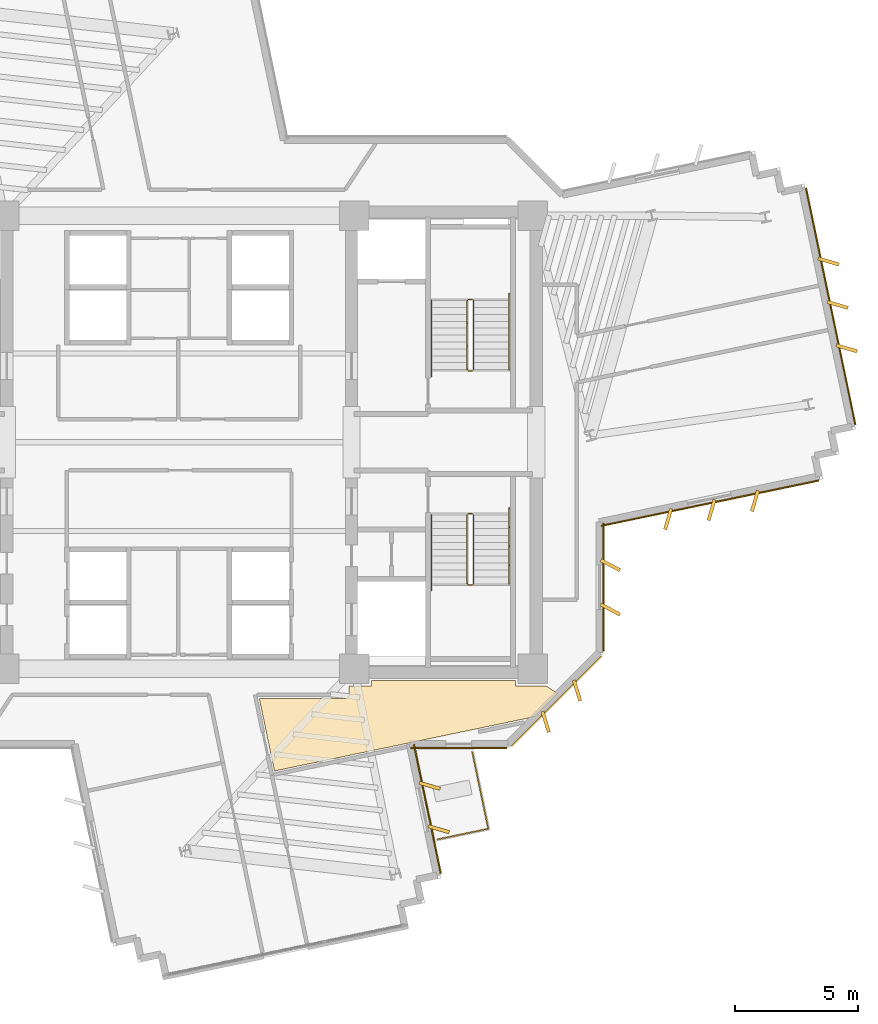
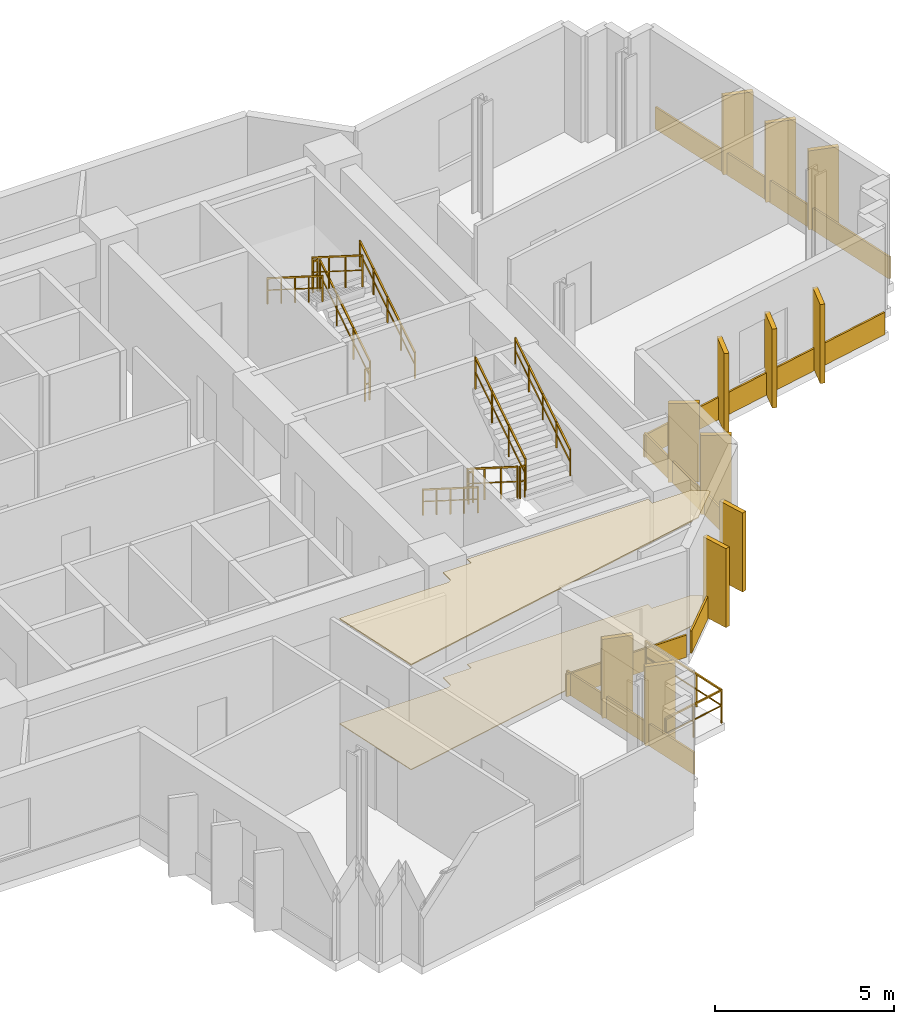
# One storey, part 13 of 14: 20 coverings, 14 railings.
"""IFC4 building model written with IfcOpenShell, lengths in metres."""

from ifc_helpers import new_model, si_unit, direction, frame, origin, origin_2d, place, context, subcontext, project, spatial, polyline, rectangle, outline, extrude, source, transform, mapped, material, layer, layer_set, type_object, element, save


model = new_model("IFC4")

# Units and contexts
model_context = context("Model", 3, precision=1e-05, world=origin(), true_north=direction((0.0, 1.0)))
body_context = subcontext(model_context, "Body", "Model", "MODEL_VIEW")
ifc_project = project(units=[si_unit("LENGTHUNIT", "METRE"), si_unit("AREAUNIT", "SQUARE_METRE"), si_unit("VOLUMEUNIT", "CUBIC_METRE"), si_unit("PLANEANGLEUNIT", "RADIAN"), si_unit("MASSUNIT", "GRAM", prefix="KILO")], contexts=[model_context])

# Site, building, storey
site_placement = place(None, origin())
site = spatial("IfcSite", under=ifc_project, at=site_placement, CompositionType="ELEMENT")
building_placement = place(site_placement, origin())
building = spatial("IfcBuilding", under=site, at=building_placement, Name="Zahravan Cultural Tower", CompositionType="ELEMENT")
storey_placement = place(building_placement, frame((0.0, 0.0, 166.800048828125)))
storey = spatial("IfcBuildingStorey", under=building, at=storey_placement, Name="L38", CompositionType="ELEMENT", Elevation=166.800048828125)

# Coverings
ifc_material_1 = material(Name="Acoustic mineral fibreboard")
ifc_layer_1 = layer(ifc_material_1, 0.0400390625)
ifc_layer_set_1 = layer_set([ifc_layer_1], Name="Acoustic mineral fibreboard")
covering_type_1 = type_object("IfcCoveringType", Name="COV-CEIL-AC20", PredefinedType="CEILING", material=ifc_layer_set_1)
covering_1_placement = place(storey_placement, frame((0.0, 0.0, 3.579833984375)))
element("IfcCovering", 1, at=covering_1_placement, inside=storey, type_object=covering_type_1, Name="L38 Acoustic Suspended Ceiling", PredefinedType="CEILING", context=body_context, shape_type="SweptSolid", body=[
    extrude(outline(polyline([(50.423583984375, 15.849609375), (51.3681640625, 16.79443359375), (50.90869140625, 17.10009765625), (49.64990234375, 17.10009765625), (49.64990234375, 17.320068359375), (43.800048828125, 17.320068359375), (43.800048828125, 17.10009765625), (42.889892578125, 17.10009765625), (42.8896484375, 16.716064453125), (42.853515625, 16.639404296875), (42.78173828125, 16.601318359375), (39.251708984375, 16.60009765625), (39.8671875, 13.648193359375), (50.423583984375, 15.849609375)])), origin(), (0.0, 0.0, 1.0), 0.0400390625),
])
ifc_material_2 = material(Name="Terrazzo flooring")
ifc_layer_2 = layer(ifc_material_2, 0.02490234375)
ifc_layer_set_2 = layer_set([ifc_layer_2], Name="Terrazzo flooring")
covering_type_2 = type_object("IfcCoveringType", Name="COV-FLR-TZ25", PredefinedType="FLOORING", material=ifc_layer_set_2)
covering_2_placement = place(storey_placement, origin())
element("IfcCovering", 2, at=covering_2_placement, inside=storey, type_object=covering_type_2, Name="L38 Polished Terrazzo Flooring", PredefinedType="FLOORING", context=body_context, shape_type="SweptSolid", body=[
    extrude(outline(polyline([(50.423583984375, 15.849609375), (51.3681640625, 16.79443359375), (50.90869140625, 17.10009765625), (49.64990234375, 17.10009765625), (49.64990234375, 17.320068359375), (43.800048828125, 17.320068359375), (43.800048828125, 17.10009765625), (42.889892578125, 17.10009765625), (42.8896484375, 16.716064453125), (42.853515625, 16.639404296875), (42.78173828125, 16.601318359375), (39.251708984375, 16.60009765625), (39.8671875, 13.648193359375), (50.423583984375, 15.849609375)])), origin(), (0.0, 0.0, 1.0), 0.02490234375),
])

# Railings
ifc_material_3 = material(Name="Steel ASTM A572 Grade 50", Category="steel")
railing_type_1 = type_object("IfcRailingType", Name="RL-BAL-1150", PredefinedType="BALUSTRADE", material=ifc_material_3)
railing_1_placement = place(storey_placement, frame((48.54931640625, 11.30126953125, 0.0)))
element("IfcRailing", 3, at=railing_1_placement, inside=storey, type_object=railing_type_1, Name="L38 Edge Balustrade GRD-TR-L38-SE-01", PredefinedType="BALUSTRADE", context=body_context, shape_type="SweptSolid", body=[
    extrude(rectangle(XDim=0.05, YDim=0.05, at=origin_2d()), frame((0.0, 0.0, 1.125), z_axis=(-0.978965909824, -0.204023889294, 0.0), x_axis=(0.204023889294, -0.978965909824, 0.0)), (0.0, 0.0, 1.0), 2.10009765625),
    extrude(rectangle(XDim=0.032, YDim=0.032, at=origin_2d()), frame((0.0, 0.0, 0.597900390625), z_axis=(-0.978965909824, -0.204023889294, 0.0), x_axis=(0.204023889294, -0.978965909824, 0.0)), (0.0, 0.0, 1.0), 2.10009765625),
    extrude(rectangle(XDim=0.04, YDim=0.04, at=origin_2d()), origin(), (0.0, 0.0, 1.0), 1.14990234375),
    extrude(rectangle(XDim=0.04, YDim=0.04, at=origin_2d()), frame((-1.02783203125, -0.21435546875, 0.0)), (0.0, 0.0, 1.0), 1.14990234375),
    extrude(rectangle(XDim=0.04, YDim=0.04, at=origin_2d()), frame((-2.055908203125, -0.428466796875, 0.0)), (0.0, 0.0, 1.0), 1.14990234375),
])
railing_2_placement = place(storey_placement, frame((47.89892578125, 14.419921875, 0.0)))
element("IfcRailing", 4, at=railing_2_placement, inside=storey, type_object=railing_type_1, Name="L38 Edge Balustrade GRD-TR-L38-SE-02", PredefinedType="BALUSTRADE", context=body_context, shape_type="SweptSolid", body=[
    extrude(rectangle(XDim=0.05, YDim=0.05, at=origin_2d()), frame((0.0, 0.0, 1.125), z_axis=(0.204156230122, -0.978938319662, 0.0), x_axis=(0.978938319662, 0.204156230122, 0.0)), (0.0, 0.0, 1.0), 3.185791015625),
    extrude(rectangle(XDim=0.032, YDim=0.032, at=origin_2d()), frame((0.0, 0.0, 0.597900390625), z_axis=(0.204156230122, -0.978938319662, 0.0), x_axis=(0.978938319662, 0.204156230122, 0.0)), (0.0, 0.0, 1.0), 3.185791015625),
    extrude(rectangle(XDim=0.04, YDim=0.04, at=origin_2d()), origin(), (0.0, 0.0, 1.0), 1.14990234375),
    extrude(rectangle(XDim=0.04, YDim=0.04, at=origin_2d()), frame((0.216796875, -1.03955078125, 0.0)), (0.0, 0.0, 1.0), 1.14990234375),
    extrude(rectangle(XDim=0.04, YDim=0.04, at=origin_2d()), frame((0.43359375, -2.0791015625, 0.0)), (0.0, 0.0, 1.0), 1.14990234375),
    extrude(rectangle(XDim=0.04, YDim=0.04, at=origin_2d()), frame((0.650390625, -3.11865234375, 0.0)), (0.0, 0.0, 1.0), 1.14990234375),
])
railing_type_2 = type_object("IfcRailingType", Name="RL-STAIR-GRD1150", PredefinedType="BALUSTRADE", material=ifc_material_3)
railing_3_placement = place(storey_placement, frame((47.949951171875, 29.949951171875, 0.17724609375)))
element("IfcRailing", 5, at=railing_3_placement, inside=storey, type_object=railing_type_2, Name="L38 ST-E1 stair guard 1", PredefinedType="BALUSTRADE", context=body_context, shape_type="SweptSolid", body=[
    extrude(rectangle(XDim=0.05, YDim=0.05, at=origin_2d()), frame((0.0, 0.0, 1.0751953125), z_axis=(0.0, 0.844908973607, 0.534910110503), x_axis=(-1.0, 0.0, 0.0)), (0.0, 0.0, 1.0), 3.31396484375),
    extrude(rectangle(XDim=0.032, YDim=0.032, at=origin_2d()), frame((0.0, 0.0, 0.572021484375), z_axis=(0.0, 0.844908973607, 0.534910110503), x_axis=(-1.0, 0.0, 0.0)), (0.0, 0.0, 1.0), 3.31396484375),
    extrude(rectangle(XDim=0.04, YDim=0.04, at=origin_2d()), origin(), (0.0, 0.0, 1.0), 1.10009765625),
    extrude(rectangle(XDim=0.04, YDim=0.04, at=origin_2d()), frame((0.0, 0.933349609375, 0.5908203125)), (0.0, 0.0, 1.0), 1.10009765625),
    extrude(rectangle(XDim=0.04, YDim=0.04, at=origin_2d()), frame((0.0, 1.86669921875, 1.181884765625)), (0.0, 0.0, 1.0), 1.10009765625),
    extrude(rectangle(XDim=0.04, YDim=0.04, at=origin_2d()), frame((0.0, 2.800048828125, 1.772705078125)), (0.0, 0.0, 1.0), 1.10009765625),
])
railing_4_placement = place(storey_placement, frame((47.89990234375, 32.800048828125, 1.949951171875)))
element("IfcRailing", 6, at=railing_4_placement, inside=storey, type_object=railing_type_2, Name="L38 ST-E1 stair guard 2", PredefinedType="BALUSTRADE", context=body_context, shape_type="SweptSolid", body=[
    extrude(rectangle(XDim=0.05, YDim=0.05, at=origin_2d()), frame((0.0, 0.0, 1.0751953125), z_axis=(-1.0, 0.0, 0.0), x_axis=(0.0, -1.0, 0.0)), (0.0, 0.0, 1.0), 0.14990234375),
    extrude(rectangle(XDim=0.032, YDim=0.032, at=origin_2d()), frame((0.0, 0.0, 0.572021484375), z_axis=(-1.0, 0.0, 0.0), x_axis=(0.0, -1.0, 0.0)), (0.0, 0.0, 1.0), 0.14990234375),
    extrude(rectangle(XDim=0.04, YDim=0.04, at=origin_2d()), origin(), (0.0, 0.0, 1.0), 1.10009765625),
    extrude(rectangle(XDim=0.04, YDim=0.04, at=origin_2d()), frame((-0.14990234375, 0.0, 0.0)), (0.0, 0.0, 1.0), 1.10009765625),
])
railing_5_placement = place(storey_placement, frame((47.699951171875, 32.75, 2.127197265625)))
element("IfcRailing", 7, at=railing_5_placement, inside=storey, type_object=railing_type_2, Name="L38 ST-E1 stair guard 3", PredefinedType="BALUSTRADE", context=body_context, shape_type="SweptSolid", body=[
    extrude(rectangle(XDim=0.05, YDim=0.05, at=origin_2d()), frame((0.0, 0.0, 1.0751953125), z_axis=(0.0, -0.844908973607, 0.534910110503), x_axis=(1.0, 0.0, 0.0)), (0.0, 0.0, 1.0), 3.31396484375),
    extrude(rectangle(XDim=0.032, YDim=0.032, at=origin_2d()), frame((0.0, 0.0, 0.572021484375), z_axis=(0.0, -0.844908973607, 0.534910110503), x_axis=(1.0, 0.0, 0.0)), (0.0, 0.0, 1.0), 3.31396484375),
    extrude(rectangle(XDim=0.04, YDim=0.04, at=origin_2d()), origin(), (0.0, 0.0, 1.0), 1.10009765625),
    extrude(rectangle(XDim=0.04, YDim=0.04, at=origin_2d()), frame((0.0, -0.933349609375, 0.5908203125)), (0.0, 0.0, 1.0), 1.10009765625),
    extrude(rectangle(XDim=0.04, YDim=0.04, at=origin_2d()), frame((0.0, -1.86669921875, 1.181884765625)), (0.0, 0.0, 1.0), 1.10009765625),
    extrude(rectangle(XDim=0.04, YDim=0.04, at=origin_2d()), frame((0.0, -2.800048828125, 1.772705078125)), (0.0, 0.0, 1.0), 1.10009765625),
])
railing_6_placement = place(storey_placement, frame((47.89990234375, 29.89990234375, 0.0)))
element("IfcRailing", 8, at=railing_6_placement, inside=storey, type_object=railing_type_2, Name="L38 ST-E1 stair guard 4", PredefinedType="BALUSTRADE", context=body_context, shape_type="SweptSolid", body=[
    extrude(rectangle(XDim=0.05, YDim=0.05, at=origin_2d()), frame((0.0, 0.0, 1.0751953125), z_axis=(-1.0, 0.0, 0.0), x_axis=(0.0, -1.0, 0.0)), (0.0, 0.0, 1.0), 0.14990234375),
    extrude(rectangle(XDim=0.032, YDim=0.032, at=origin_2d()), frame((0.0, 0.0, 0.572021484375), z_axis=(-1.0, 0.0, 0.0), x_axis=(0.0, -1.0, 0.0)), (0.0, 0.0, 1.0), 0.14990234375),
    extrude(rectangle(XDim=0.04, YDim=0.04, at=origin_2d()), origin(), (0.0, 0.0, 1.0), 1.10009765625),
    extrude(rectangle(XDim=0.04, YDim=0.04, at=origin_2d()), frame((-0.14990234375, 0.0, 0.0)), (0.0, 0.0, 1.0), 1.10009765625),
])
railing_7_placement = place(storey_placement, frame((47.699951171875, 24.050048828125, 0.17724609375)))
element("IfcRailing", 9, at=railing_7_placement, inside=storey, type_object=railing_type_2, Name="L38 ST-E2 stair guard 1", PredefinedType="BALUSTRADE", context=body_context, shape_type="SweptSolid", body=[
    extrude(rectangle(XDim=0.05, YDim=0.05, at=origin_2d()), frame((0.0, 0.0, 1.0751953125), z_axis=(0.0, -0.844908973607, 0.534910110503), x_axis=(1.0, 0.0, 0.0)), (0.0, 0.0, 1.0), 3.31396484375),
    extrude(rectangle(XDim=0.032, YDim=0.032, at=origin_2d()), frame((0.0, 0.0, 0.572021484375), z_axis=(0.0, -0.844908973607, 0.534910110503), x_axis=(1.0, 0.0, 0.0)), (0.0, 0.0, 1.0), 3.31396484375),
    extrude(rectangle(XDim=0.04, YDim=0.04, at=origin_2d()), origin(), (0.0, 0.0, 1.0), 1.10009765625),
    extrude(rectangle(XDim=0.04, YDim=0.04, at=origin_2d()), frame((0.0, -0.933349609375, 0.5908203125)), (0.0, 0.0, 1.0), 1.10009765625),
    extrude(rectangle(XDim=0.04, YDim=0.04, at=origin_2d()), frame((0.0, -1.86669921875, 1.181884765625)), (0.0, 0.0, 1.0), 1.10009765625),
    extrude(rectangle(XDim=0.04, YDim=0.04, at=origin_2d()), frame((0.0, -2.800048828125, 1.772705078125)), (0.0, 0.0, 1.0), 1.10009765625),
])
railing_8_placement = place(storey_placement, frame((47.75, 21.199951171875, 1.949951171875)))
element("IfcRailing", 10, at=railing_8_placement, inside=storey, type_object=railing_type_2, Name="L38 ST-E2 stair guard 2", PredefinedType="BALUSTRADE", context=body_context, shape_type="SweptSolid", body=[
    extrude(rectangle(XDim=0.05, YDim=0.05, at=origin_2d()), frame((0.0, 0.0, 1.0751953125), z_axis=(1.0, 0.0, 0.0), x_axis=(0.0, 1.0, 0.0)), (0.0, 0.0, 1.0), 0.14990234375),
    extrude(rectangle(XDim=0.032, YDim=0.032, at=origin_2d()), frame((0.0, 0.0, 0.572021484375), z_axis=(1.0, 0.0, 0.0), x_axis=(0.0, 1.0, 0.0)), (0.0, 0.0, 1.0), 0.14990234375),
    extrude(rectangle(XDim=0.04, YDim=0.04, at=origin_2d()), origin(), (0.0, 0.0, 1.0), 1.10009765625),
    extrude(rectangle(XDim=0.04, YDim=0.04, at=origin_2d()), frame((0.14990234375, 0.0, 0.0)), (0.0, 0.0, 1.0), 1.10009765625),
])
railing_9_placement = place(storey_placement, frame((47.949951171875, 21.25, 2.127197265625)))
element("IfcRailing", 11, at=railing_9_placement, inside=storey, type_object=railing_type_2, Name="L38 ST-E2 stair guard 3", PredefinedType="BALUSTRADE", context=body_context, shape_type="SweptSolid", body=[
    extrude(rectangle(XDim=0.05, YDim=0.05, at=origin_2d()), frame((0.0, 0.0, 1.0751953125), z_axis=(0.0, 0.844908973607, 0.534910110503), x_axis=(-1.0, 0.0, 0.0)), (0.0, 0.0, 1.0), 3.31396484375),
    extrude(rectangle(XDim=0.032, YDim=0.032, at=origin_2d()), frame((0.0, 0.0, 0.572021484375), z_axis=(0.0, 0.844908973607, 0.534910110503), x_axis=(-1.0, 0.0, 0.0)), (0.0, 0.0, 1.0), 3.31396484375),
    extrude(rectangle(XDim=0.04, YDim=0.04, at=origin_2d()), origin(), (0.0, 0.0, 1.0), 1.10009765625),
    extrude(rectangle(XDim=0.04, YDim=0.04, at=origin_2d()), frame((0.0, 0.933349609375, 0.5908203125)), (0.0, 0.0, 1.0), 1.10009765625),
    extrude(rectangle(XDim=0.04, YDim=0.04, at=origin_2d()), frame((0.0, 1.86669921875, 1.181884765625)), (0.0, 0.0, 1.0), 1.10009765625),
    extrude(rectangle(XDim=0.04, YDim=0.04, at=origin_2d()), frame((0.0, 2.800048828125, 1.772705078125)), (0.0, 0.0, 1.0), 1.10009765625),
])
railing_10_placement = place(storey_placement, frame((47.75, 24.10009765625, 0.0)))
element("IfcRailing", 12, at=railing_10_placement, inside=storey, type_object=railing_type_2, Name="L38 ST-E2 stair guard 4", PredefinedType="BALUSTRADE", context=body_context, shape_type="SweptSolid", body=[
    extrude(rectangle(XDim=0.05, YDim=0.05, at=origin_2d()), frame((0.0, 0.0, 1.0751953125), z_axis=(1.0, 0.0, 0.0), x_axis=(0.0, 1.0, 0.0)), (0.0, 0.0, 1.0), 0.14990234375),
    extrude(rectangle(XDim=0.032, YDim=0.032, at=origin_2d()), frame((0.0, 0.0, 0.572021484375), z_axis=(1.0, 0.0, 0.0), x_axis=(0.0, 1.0, 0.0)), (0.0, 0.0, 1.0), 0.14990234375),
    extrude(rectangle(XDim=0.04, YDim=0.04, at=origin_2d()), origin(), (0.0, 0.0, 1.0), 1.10009765625),
    extrude(rectangle(XDim=0.04, YDim=0.04, at=origin_2d()), frame((0.14990234375, 0.0, 0.0)), (0.0, 0.0, 1.0), 1.10009765625),
])
railing_type_3 = type_object("IfcRailingType", Name="RL-STAIR-HR900", PredefinedType="HANDRAIL", material=ifc_material_3)
railing_11_placement = place(storey_placement, frame((49.39990234375, 29.949951171875, 0.17724609375)))
element("IfcRailing", 13, at=railing_11_placement, inside=storey, type_object=railing_type_3, Name="L38 ST-E1 stair handrail 1", PredefinedType="HANDRAIL", context=body_context, shape_type="SweptSolid", body=[
    extrude(rectangle(XDim=0.05, YDim=0.05, at=origin_2d()), frame((0.0, 0.0, 0.875), z_axis=(0.0, 0.844913916606, 0.534902302785), x_axis=(-1.0, 0.0, 0.0)), (0.0, 0.0, 1.0), 3.6455078125),
    extrude(rectangle(XDim=0.032, YDim=0.032, at=origin_2d()), frame((0.0, 0.0, 0.468017578125), z_axis=(0.0, 0.844913916606, 0.534902302785), x_axis=(-1.0, 0.0, 0.0)), (0.0, 0.0, 1.0), 3.6455078125),
    extrude(rectangle(XDim=0.04, YDim=0.04, at=origin_2d()), origin(), (0.0, 0.0, 1.0), 0.89990234375),
    extrude(rectangle(XDim=0.04, YDim=0.04, at=origin_2d()), frame((0.0, 0.77001953125, 0.487548828125)), (0.0, 0.0, 1.0), 0.89990234375),
    extrude(rectangle(XDim=0.04, YDim=0.04, at=origin_2d()), frame((0.0, 1.5400390625, 0.97509765625)), (0.0, 0.0, 1.0), 0.89990234375),
    extrude(rectangle(XDim=0.04, YDim=0.04, at=origin_2d()), frame((0.0, 2.31005859375, 1.46240234375)), (0.0, 0.0, 1.0), 0.89990234375),
    extrude(rectangle(XDim=0.04, YDim=0.04, at=origin_2d()), frame((0.0, 3.080078125, 1.949951171875)), (0.0, 0.0, 1.0), 0.89990234375),
])
for number, where, name in (
    (14, (46.25, 32.75, 2.127197265625), "L38 ST-E1 stair handrail 2"),
    (15, (46.25, 24.050048828125, 0.17724609375), "L38 ST-E2 stair handrail 1"),
):
    element("IfcRailing", number, at=place(storey_placement, frame(where)), inside=storey, type_object=railing_type_3, Name=name, PredefinedType="HANDRAIL", context=body_context, shape_type="SweptSolid", body=[
        extrude(rectangle(XDim=0.05, YDim=0.05, at=origin_2d()), frame((0.0, 0.0, 0.875), z_axis=(0.0, -0.844913916606, 0.534902302785), x_axis=(1.0, 0.0, 0.0)), (0.0, 0.0, 1.0), 3.6455078125),
        extrude(rectangle(XDim=0.032, YDim=0.032, at=origin_2d()), frame((0.0, 0.0, 0.468017578125), z_axis=(0.0, -0.844913916606, 0.534902302785), x_axis=(1.0, 0.0, 0.0)), (0.0, 0.0, 1.0), 3.6455078125),
        extrude(rectangle(XDim=0.04, YDim=0.04, at=origin_2d()), origin(), (0.0, 0.0, 1.0), 0.89990234375),
        extrude(rectangle(XDim=0.04, YDim=0.04, at=origin_2d()), frame((0.0, -0.77001953125, 0.487548828125)), (0.0, 0.0, 1.0), 0.89990234375),
        extrude(rectangle(XDim=0.04, YDim=0.04, at=origin_2d()), frame((0.0, -1.5400390625, 0.97509765625)), (0.0, 0.0, 1.0), 0.89990234375),
        extrude(rectangle(XDim=0.04, YDim=0.04, at=origin_2d()), frame((0.0, -2.31005859375, 1.46240234375)), (0.0, 0.0, 1.0), 0.89990234375),
        extrude(rectangle(XDim=0.04, YDim=0.04, at=origin_2d()), frame((0.0, -3.080078125, 1.949951171875)), (0.0, 0.0, 1.0), 0.89990234375),
    ])
railing_12_placement = place(storey_placement, frame((49.39990234375, 21.25, 2.127197265625)))
element("IfcRailing", 16, at=railing_12_placement, inside=storey, type_object=railing_type_3, Name="L38 ST-E2 stair handrail 2", PredefinedType="HANDRAIL", context=body_context, shape_type="SweptSolid", body=[
    extrude(rectangle(XDim=0.05, YDim=0.05, at=origin_2d()), frame((0.0, 0.0, 0.875), z_axis=(0.0, 0.844913916606, 0.534902302785), x_axis=(-1.0, 0.0, 0.0)), (0.0, 0.0, 1.0), 3.6455078125),
    extrude(rectangle(XDim=0.032, YDim=0.032, at=origin_2d()), frame((0.0, 0.0, 0.468017578125), z_axis=(0.0, 0.844913916606, 0.534902302785), x_axis=(-1.0, 0.0, 0.0)), (0.0, 0.0, 1.0), 3.6455078125),
    extrude(rectangle(XDim=0.04, YDim=0.04, at=origin_2d()), origin(), (0.0, 0.0, 1.0), 0.89990234375),
    extrude(rectangle(XDim=0.04, YDim=0.04, at=origin_2d()), frame((0.0, 0.77001953125, 0.487548828125)), (0.0, 0.0, 1.0), 0.89990234375),
    extrude(rectangle(XDim=0.04, YDim=0.04, at=origin_2d()), frame((0.0, 1.5400390625, 0.97509765625)), (0.0, 0.0, 1.0), 0.89990234375),
    extrude(rectangle(XDim=0.04, YDim=0.04, at=origin_2d()), frame((0.0, 2.31005859375, 1.46240234375)), (0.0, 0.0, 1.0), 0.89990234375),
    extrude(rectangle(XDim=0.04, YDim=0.04, at=origin_2d()), frame((0.0, 3.080078125, 1.949951171875)), (0.0, 0.0, 1.0), 0.89990234375),
])

# Coverings
ifc_material_4 = material(Name="Terracotta ceramic cladding", Category="masonry")
ifc_layer_3 = layer(ifc_material_4, 0.06005859375)
ifc_layer_set_3 = layer_set([ifc_layer_3], Name="Terracotta ceramic cladding")
covering_type_3 = type_object("IfcCoveringType", Name="COV-CLAD-TC60", PredefinedType="CLADDING", material=ifc_layer_set_3)
shared_shape_1 = source(origin(), body_context, "Body", "SweptSolid", [
    extrude(rectangle(XDim=9.820068359375, YDim=0.06005859375, at=origin_2d()), origin(), (0.0, 0.0, 1.0), 0.760009765625),
])
covering_3_placement = place(storey_placement, frame((62.455810546875, 32.517333984375, 0.02001953125), z_axis=(0.0, 0.0, 1.0), x_axis=(0.204154350213, -0.978938711712, 0.0)))
element("IfcCovering", 17, at=covering_3_placement, inside=storey, type_object=covering_type_3, Name="L38 Terracotta Spandrel Cladding 06", PredefinedType="CLADDING", context=body_context, shape_type="MappedRepresentation", body=[
    mapped(shared_shape_1, transform((0.0, 0.0, 0.0), x_axis=(1.0, 0.0, 0.0), y_axis=(0.0, 1.0, 0.0), z_axis=(0.0, 0.0, 1.0), scale=1.0)),
])
shared_shape_2 = source(origin(), body_context, "Body", "SweptSolid", [
    extrude(rectangle(XDim=5.157958984375, YDim=0.06005859375, at=origin_2d()), origin(), (0.0, 0.0, 1.0), 0.760009765625),
])
covering_4_placement = place(storey_placement, frame((51.317626953125, 16.482421875, 0.02001953125), z_axis=(0.0, 0.0, 1.0), x_axis=(-0.707106781187, -0.707106781187, 0.0)))
element("IfcCovering", 18, at=covering_4_placement, inside=storey, type_object=covering_type_3, Name="L38 Terracotta Spandrel Cladding 13", PredefinedType="CLADDING", context=body_context, shape_type="MappedRepresentation", body=[
    mapped(shared_shape_2, transform((0.0, 0.0, 0.0), x_axis=(1.0, 0.0, 0.0), y_axis=(0.0, 1.0, 0.0), z_axis=(0.0, 0.0, 1.0), scale=1.0)),
])
shared_shape_3 = source(origin(), body_context, "Body", "SweptSolid", [
    extrude(rectangle(XDim=0.8798828125, YDim=0.139892578125, at=origin_2d()), origin(), (0.0, 0.0, 1.0), 2.699951171875),
])
for number, where, z_axis, x_axis, name in (
    (19, (62.3671875, 34.337646484375, 0.0498046875), (0.0, 0.0, 1.0), (0.960196240907, -0.279326294767, 0.0), "L38 Herringbone Terracotta Fin 04"),
    (20, (62.73486328125, 32.575439453125, 0.0498046875), (0.0, 0.0, 1.0), (0.960196240907, -0.279326294767, 0.0), "L38 Herringbone Terracotta Fin 05"),
    (21, (63.102294921875, 30.8134765625, 0.0498046875), (0.0, 0.0, 1.0), (0.960196240907, -0.279326294767, 0.0), "L38 Herringbone Terracotta Fin 06"),
    (22, (59.37890625, 24.612548828125, 0.0498046875), (0.0, 0.0, 1.0), (-0.279326294767, -0.960196240907, 0.0), "L38 Herringbone Terracotta Fin 07"),
    (23, (57.61669921875, 24.2451171875, 0.0498046875), (0.0, 0.0, 1.0), (-0.279326294767, -0.960196240907, 0.0), "L38 Herringbone Terracotta Fin 08"),
    (24, (55.854736328125, 23.877685546875, 0.0498046875), (0.0, 0.0, 1.0), (-0.279326294767, -0.960196240907, 0.0), "L38 Herringbone Terracotta Fin 09"),
    (25, (53.510009765625, 22.006103515625, 0.0498046875), (0.0, 0.0, 1.0), (0.882947592859, -0.469471562786, 0.0), "L38 Herringbone Terracotta Fin 10"),
    (26, (53.510009765625, 20.206298828125, 0.0498046875), (0.0, 0.0, 1.0), (0.882947592859, -0.469471562786, 0.0), "L38 Herringbone Terracotta Fin 11"),
    (27, (52.155517578125, 16.917236328125, 0.0498046875), (0.0, 0.0, 1.0), (0.292371704723, -0.956304755963, 0.0), "L38 Herringbone Terracotta Fin 12"),
    (28, (50.8828125, 15.644287109375, 0.0498046875), (0.0, 0.0, 1.0), (0.292371704723, -0.956304755963, 0.0), "L38 Herringbone Terracotta Fin 13"),
    (29, (46.1728515625, 13.046630859375, 0.0498046875), (0.0, 0.0, 1.0), (0.960196240907, -0.279326294767, 0.0), "L38 Herringbone Terracotta Fin 14"),
    (30, (46.540283203125, 11.284423828125, 0.0498046875), (0.0, 0.0, 1.0), (0.960196240907, -0.279326294767, 0.0), "L38 Herringbone Terracotta Fin 15"),
):
    element("IfcCovering", number, at=place(storey_placement, frame(where, z_axis=z_axis, x_axis=x_axis)), inside=storey, type_object=covering_type_3, Name=name, PredefinedType="CLADDING", context=body_context, shape_type="MappedRepresentation", body=[
        mapped(shared_shape_3, transform((0.0, 0.0, 0.0), x_axis=(1.0, 0.0, 0.0), y_axis=(0.0, 1.0, 0.0), z_axis=(0.0, 0.0, 1.0), scale=1.0)),
    ])
shared_shape_4 = source(origin(), body_context, "Body", "SweptSolid", [
    extrude(rectangle(XDim=9.02197265625, YDim=0.06005859375, at=origin_2d()), origin(), (0.0, 0.0, 1.0), 0.760009765625),
])
covering_5_placement = place(storey_placement, frame((57.55859375, 24.524169921875, 0.02001953125), z_axis=(0.0, 0.0, 1.0), x_axis=(-0.978938711712, -0.204154350213, 0.0)))
element("IfcCovering", 31, at=covering_5_placement, inside=storey, type_object=covering_type_3, Name="L38 Terracotta Spandrel Cladding 11", PredefinedType="CLADDING", context=body_context, shape_type="MappedRepresentation", body=[
    mapped(shared_shape_4, transform((0.0, 0.0, 0.0), x_axis=(1.0, 0.0, 0.0), y_axis=(0.0, 1.0, 0.0), z_axis=(0.0, 0.0, 1.0), scale=1.0)),
])
shared_shape_5 = source(origin(), body_context, "Body", "SweptSolid", [
    extrude(rectangle(XDim=5.196533203125, YDim=0.06005859375, at=origin_2d()), origin(), (0.0, 0.0, 1.0), 0.760009765625),
])
covering_6_placement = place(storey_placement, frame((53.22509765625, 21.106201171875, 0.02001953125), z_axis=(0.0, 0.0, 1.0), x_axis=(0.0, -1.0, 0.0)))
element("IfcCovering", 32, at=covering_6_placement, inside=storey, type_object=covering_type_3, Name="L38 Terracotta Spandrel Cladding 12", PredefinedType="CLADDING", context=body_context, shape_type="MappedRepresentation", body=[
    mapped(shared_shape_5, transform((0.0, 0.0, 0.0), x_axis=(1.0, 0.0, 0.0), y_axis=(0.0, 1.0, 0.0), z_axis=(0.0, 0.0, 1.0), scale=1.0)),
])
shared_shape_6 = source(origin(), body_context, "Body", "SweptSolid", [
    extrude(rectangle(XDim=3.8818359375, YDim=0.06005859375, at=origin_2d()), origin(), (0.0, 0.0, 1.0), 0.760009765625),
])
covering_7_placement = place(storey_placement, frame((47.35107421875, 14.574951171875, 0.02001953125), z_axis=(0.0, 0.0, 1.0), x_axis=(-1.0, 0.0, 0.0)))
element("IfcCovering", 33, at=covering_7_placement, inside=storey, type_object=covering_type_3, Name="L38 Terracotta Spandrel Cladding 14", PredefinedType="CLADDING", context=body_context, shape_type="MappedRepresentation", body=[
    mapped(shared_shape_6, transform((0.0, 0.0, 0.0), x_axis=(1.0, 0.0, 0.0), y_axis=(0.0, 1.0, 0.0), z_axis=(0.0, 0.0, 1.0), scale=1.0)),
])
shared_shape_7 = source(origin(), body_context, "Body", "SweptSolid", [
    extrude(rectangle(XDim=5.347412109375, YDim=0.06005859375, at=origin_2d()), origin(), (0.0, 0.0, 1.0), 0.760009765625),
])
covering_8_placement = place(storey_placement, frame((46.07763671875, 12.107421875, 0.02001953125), z_axis=(0.0, 0.0, 1.0), x_axis=(0.204154350213, -0.978938711712, 0.0)))
element("IfcCovering", 34, at=covering_8_placement, inside=storey, type_object=covering_type_3, Name="L38 Terracotta Spandrel Cladding 15", PredefinedType="CLADDING", context=body_context, shape_type="MappedRepresentation", body=[
    mapped(shared_shape_7, transform((0.0, 0.0, 0.0), x_axis=(1.0, 0.0, 0.0), y_axis=(0.0, 1.0, 0.0), z_axis=(0.0, 0.0, 1.0), scale=1.0)),
])

save(model, "model.ifc")
